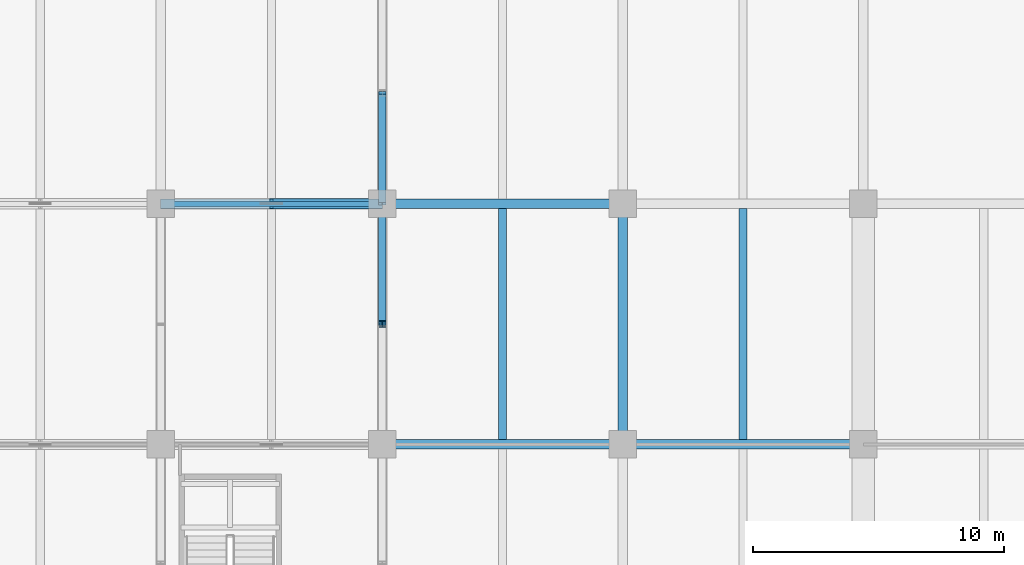
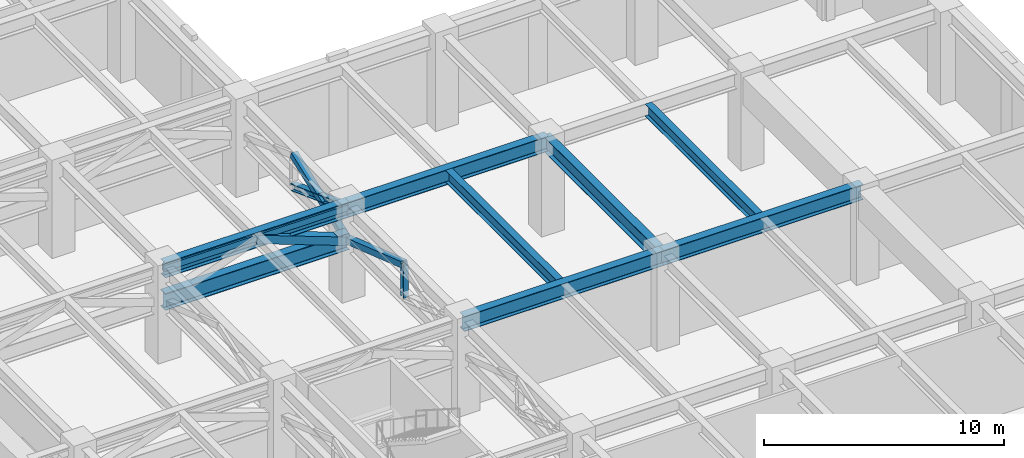
# One storey, part 6 of 22: 8 beams, 6 members.
"""IFC4 building model written with IfcOpenShell, lengths in metres."""

import ifcopenshell
import ifcopenshell.guid

model = None  # the IFC model being written
_history = None  # IfcOwnerHistory: only IFC2X3 demands one
_inside = {}  # id of a spatial element -> (the spatial element, [elements in it])
_under = {}  # id of a project, library or spatial element -> (it, [spatial elements below it])
_declared = {}  # id of a project -> (the project, [libraries it declares])
_typed = {}  # id of a type object -> (the type object, [elements of that type])
_made_of = {}  # id of a material, layer set ... -> (it, [elements and type objects made of it])


def new_model(schema):
    """Start an empty IFC model of exactly this schema.

    Asked for "IFC4X3", IfcOpenShell would pick the latest addendum, in which some entities
    have other attributes; the version numbers below select the first issue.
    IFC2X3 requires an IfcOwnerHistory on every rooted entity: one is made here for all.
    """
    global model, _history
    if schema == "IFC4X3":
        model = ifcopenshell.file(schema_version=(4, 3, 0, 0))
    else:
        model = ifcopenshell.file(schema=schema)
    _inside.clear()
    _under.clear()
    _declared.clear()
    _typed.clear()
    _made_of.clear()
    _history = None
    if model.schema == "IFC2X3":
        org = make("IfcOrganization", Name="unknown")
        user = make(
            "IfcPersonAndOrganization",
            ThePerson=make("IfcPerson", FamilyName="unknown"),
            TheOrganization=org,
        )
        app = make(
            "IfcApplication",
            ApplicationDeveloper=org,
            Version="unknown",
            ApplicationFullName="unknown",
            ApplicationIdentifier="unknown",
        )
        _history = make(
            "IfcOwnerHistory",
            OwningUser=user,
            OwningApplication=app,
            ChangeAction="ADDED",
            CreationDate=0,
        )
    return model


def make(cls, **values):
    """One entity of the class cls with the attributes given. An attribute that is None is left unset."""
    return model.create_entity(
        cls, **{name: value for name, value in values.items() if value is not None}
    )


def rooted(cls, **values):
    """An entity with a GlobalId (a new one), such as an element, a storey or a relation."""
    return make(cls, GlobalId=ifcopenshell.guid.new(), OwnerHistory=_history, **values)


def si_unit(unit_type, name, prefix=None):
    """IfcSIUnit, for example si_unit("LENGTHUNIT", "METRE", prefix="MILLI")."""
    return make("IfcSIUnit", UnitType=unit_type, Prefix=prefix, Name=name)


def assignment(units):
    """IfcUnitAssignment: the units of a project."""
    return None if units is None else make("IfcUnitAssignment", Units=units)


def point(xyz):
    """IfcCartesianPoint."""
    return None if xyz is None else make("IfcCartesianPoint", Coordinates=xyz)


def direction(xyz):
    """IfcDirection."""
    return None if xyz is None else make("IfcDirection", DirectionRatios=xyz)


def frame(location, z_axis=None, x_axis=None):
    """IfcAxis2Placement3D, a coordinate frame: its origin and axes. An axis left out is left unset."""
    return make(
        "IfcAxis2Placement3D",
        Location=point(location),
        Axis=direction(z_axis),
        RefDirection=direction(x_axis),
    )


def frame_2d(location, x_axis=None):
    """IfcAxis2Placement2D, a coordinate frame in the plane: its origin and x axis."""
    return make(
        "IfcAxis2Placement2D", Location=point(location), RefDirection=direction(x_axis)
    )


def origin():
    """The frame at (0, 0, 0) with its axes left unset."""
    return frame((0.0, 0.0, 0.0))


def origin_2d():
    """The frame at (0, 0) in the plane with its x axis left unset."""
    return frame_2d((0.0, 0.0))


def place(relative_to, where):
    """IfcLocalPlacement: puts the frame where relative to a parent placement (None: the world)."""
    return make(
        "IfcLocalPlacement", PlacementRelTo=relative_to, RelativePlacement=where
    )


def context(
    kind, dimensions, precision=None, world=None, true_north=None, identifier=None
):
    """IfcGeometricRepresentationContext, for example the 3D "Model" context."""
    return make(
        "IfcGeometricRepresentationContext",
        ContextIdentifier=identifier,
        ContextType=kind,
        CoordinateSpaceDimension=dimensions,
        Precision=precision,
        WorldCoordinateSystem=world,
        TrueNorth=true_north,
    )


def subcontext(parent, identifier, kind, view, scale=None):
    """IfcGeometricRepresentationSubContext, for example "Body" below "Model"."""
    return make(
        "IfcGeometricRepresentationSubContext",
        ContextIdentifier=identifier,
        ContextType=kind,
        ParentContext=parent,
        TargetScale=scale,
        TargetView=view,
    )


def project(units=None, contexts=None):
    """IfcProject with its units and contexts."""
    return rooted(
        "IfcProject",
        Name="project",
        RepresentationContexts=contexts,
        UnitsInContext=assignment(units),
    )


def spatial(cls, under=None, at=None, **own):
    """A site, building, storey or space (cls), placed at a placement, below another one or the project."""
    s = rooted(cls, ObjectPlacement=at, **own)
    if under is not None:
        _under.setdefault(under.id(), (under, []))[1].append(s)
    return s


def profile(cls, at=None, kind="AREA", **sizes):
    """A parametric profile (cls). Its sizes go by their IFC names, for example OverallWidth=200.0."""
    return make(cls, ProfileType=kind, Position=at, **sizes)


def hollow_rectangle(**sizes):
    """IfcRectangleHollowProfileDef."""
    return profile("IfcRectangleHollowProfileDef", **sizes)


def i_section(**sizes):
    """IfcIShapeProfileDef."""
    return profile("IfcIShapeProfileDef", **sizes)


def extrude(swept, where, along, depth):
    """IfcExtrudedAreaSolid: the profile swept, set in the frame where, extruded along a direction by depth."""
    return make(
        "IfcExtrudedAreaSolid",
        SweptArea=swept,
        Position=where,
        ExtrudedDirection=direction(along),
        Depth=depth,
    )


def shape(context_of_items, identifier, shape_type, items):
    """IfcShapeRepresentation: the items that make up one representation, for example the "Body"."""
    return make(
        "IfcShapeRepresentation",
        ContextOfItems=context_of_items,
        RepresentationIdentifier=identifier,
        RepresentationType=shape_type,
        Items=items,
    )


def material(Name=None, Category=None):
    """IfcMaterial."""
    return make("IfcMaterial", Name=Name, Category=Category)


def material_profile(
    of_material, cross_section, Name=None, Category=None, Priority=None
):
    """IfcMaterialProfile: a cross section and its material."""
    return make(
        "IfcMaterialProfile",
        Name=Name,
        Material=of_material,
        Profile=cross_section,
        Priority=Priority,
        Category=Category,
    )


def profile_set(profiles, Name=None, composite=None):
    """IfcMaterialProfileSet."""
    return make(
        "IfcMaterialProfileSet",
        Name=Name,
        MaterialProfiles=profiles,
        CompositeProfile=composite,
    )


def made_of(thing, what):
    """Note that an element or type object is made of a material, layer set ...; save() writes the relation."""
    if what is not None:
        _made_of.setdefault(what.id(), (what, []))[1].append(thing)
    return thing


def type_object(cls, material=None, **own):
    """A type object (cls), such as IfcWallType, which elements share."""
    return made_of(rooted(cls, **own), material)


def element(
    cls,
    number,
    at=None,
    inside=None,
    cuts=None,
    type_object=None,
    material=None,
    context=None,
    identifier="Body",
    shape_type=None,
    held_by="IfcProductDefinitionShape",
    body=None,
    shapes=None,
    **own,
):
    """One element of the class cls, such as IfcWall. Its Tag is "e" and its number.

    at: its placement. inside: the storey or other place that contains it. cuts: it is an
    opening in that element (IfcRelVoidsElement). A single representation is given by context,
    identifier, shape_type and body (its items); several are given by shapes. held_by: the class
    of the entity that holds the representations. save() writes the other relations.
    """
    e = rooted(cls, Tag="e%d" % number, ObjectPlacement=at, **own)
    if body is not None:
        shapes = [shape(context, identifier, shape_type, body)]
    if shapes is not None:
        e.Representation = make(held_by, Representations=shapes)
    if inside is not None:
        _inside.setdefault(inside.id(), (inside, []))[1].append(e)
    if cuts is not None:
        rooted(
            "IfcRelVoidsElement", RelatingBuildingElement=cuts, RelatedOpeningElement=e
        )
    if type_object is not None:
        _typed.setdefault(type_object.id(), (type_object, []))[1].append(e)
    return made_of(e, material)


def aggregate(whole, parts):
    """IfcRelAggregates: a whole, such as a stair, and the parts it consists of."""
    return rooted("IfcRelAggregates", RelatingObject=whole, RelatedObjects=parts)


def save(model, path):
    """Write the relations noted so far, then the file.

    IfcRelAggregates (storeys below a building ...), IfcRelContainedInSpatialStructure (elements
    in a storey), IfcRelDefinesByType, IfcRelAssociatesMaterial and IfcRelDeclares: one each for
    every whole, place, type object, material and project.
    """
    for whole, parts in _under.values():
        aggregate(whole, parts)
    for where, things in _inside.values():
        rooted(
            "IfcRelContainedInSpatialStructure",
            RelatedElements=things,
            RelatingStructure=where,
        )
    for kind, things in _typed.values():
        rooted("IfcRelDefinesByType", RelatedObjects=things, RelatingType=kind)
    for what, things in _made_of.values():
        rooted("IfcRelAssociatesMaterial", RelatedObjects=things, RelatingMaterial=what)
    for by, libraries in _declared.values():
        rooted("IfcRelDeclares", RelatingContext=by, RelatedDefinitions=libraries)
    model.write(path)


model = new_model("IFC4")

# Units and contexts
model_context = context("Model", 3, precision=1e-05, world=origin(), true_north=direction((0.0, 1.0)))
body_context = subcontext(model_context, "Body", "Model", "MODEL_VIEW")
ifc_project = project(units=[si_unit("LENGTHUNIT", "METRE"), si_unit("AREAUNIT", "SQUARE_METRE"), si_unit("VOLUMEUNIT", "CUBIC_METRE"), si_unit("PLANEANGLEUNIT", "RADIAN"), si_unit("MASSUNIT", "GRAM", prefix="KILO")], contexts=[model_context])

# Site, building, storey
site_placement = place(None, origin())
site = spatial("IfcSite", under=ifc_project, at=site_placement, CompositionType="ELEMENT")
building_placement = place(site_placement, origin())
building = spatial("IfcBuilding", under=site, at=building_placement, Name="Norrvale University Quadrangle", CompositionType="ELEMENT")
storey_placement = place(building_placement, frame((0.0, 0.0, 96.39990234375)))
storey = spatial("IfcBuildingStorey", under=building, at=storey_placement, Name="L24", CompositionType="ELEMENT", Elevation=96.39990234375)

# Beams
ifc_material = material(Name="Steel 350W", Category="steel")
ifc_material_profile_1 = material_profile(ifc_material, i_section(OverallWidth=0.324951171875, OverallDepth=0.615966796875, WebThickness=0.013916015625, FlangeThickness=0.021484375, FilletRadius=0.01611328125, at=origin_2d()), Name="Steel 350W")
ifc_profile_set_1 = profile_set([ifc_material_profile_1], Name="Steel 350W")
beam_type_1 = type_object("IfcBeamType", Name="Beam Belt W610x174", PredefinedType="BEAM", material=ifc_profile_set_1)
for number, where, z_axis, x_axis, name in (
    (1, (42.449951171875, 19.390380859375, 4.43212890625), (0.0, 1.0, 0.0), (-1.0, 0.0, 0.0), "Beam Belt W610x174 BM-L24-J092"),
    (2, (52.050048828125, 19.390380859375, 4.43212890625), (0.0, 1.0, 0.0), (-1.0, 0.0, 0.0), "Beam Belt W610x174 BM-L24-J096"),
):
    element("IfcBeam", number, at=place(storey_placement, frame(where, z_axis=z_axis, x_axis=x_axis)), inside=storey, type_object=beam_type_1, Name=name, PredefinedType="BEAM", context=body_context, shape_type="SweptSolid", body=[
        extrude(i_section(OverallWidth=0.324951171875, OverallDepth=0.615966796875, WebThickness=0.013916015625, FlangeThickness=0.021484375, FilletRadius=0.01611328125, at=origin_2d()), origin(), (0.0, 0.0, 1.0), 9.21923828125),
    ])
ifc_material_profile_2 = material_profile(ifc_material, i_section(OverallWidth=0.381103515625, OverallDepth=0.77294921875, WebThickness=0.0166015625, FlangeThickness=0.027587890625, FilletRadius=0.02001953125, at=origin_2d()), Name="Steel 350W")
ifc_profile_set_2 = profile_set([ifc_material_profile_2], Name="Steel 350W")
beam_type_2 = type_object("IfcBeamType", Name="Beam Outrig W760x257", PredefinedType="BEAM", material=ifc_profile_set_2)
for number, where, z_axis, x_axis, name in (
    (3, (37.64990234375, 19.199951171875, 4.353515625), (1.0, 0.0, 0.0), (0.0, 1.0, 0.0), "Beam Outrig W760x257 BM-L24-GX013"),
    (4, (47.25, 19.199951171875, 4.353515625), (1.0, 0.0, 0.0), (0.0, 1.0, 0.0), "Beam Outrig W760x257 BM-L24-GX014"),
):
    element("IfcBeam", number, at=place(storey_placement, frame(where, z_axis=z_axis, x_axis=x_axis)), inside=storey, type_object=beam_type_2, Name=name, PredefinedType="BEAM", context=body_context, shape_type="SweptSolid", body=[
        extrude(i_section(OverallWidth=0.381103515625, OverallDepth=0.77294921875, WebThickness=0.0166015625, FlangeThickness=0.027587890625, FilletRadius=0.02001953125, at=origin_2d()), origin(), (0.0, 0.0, 1.0), 9.60009765625),
    ])
beam_1_placement = place(storey_placement, frame((28.800048828125, 28.800048828125, 4.353515625), z_axis=(1.0, 0.0, 0.0), x_axis=(0.0, 1.0, 0.0)))
element("IfcBeam", 5, at=beam_1_placement, inside=storey, type_object=beam_type_2, Name="Beam Outrig W760x257 BM-L24-GX017", PredefinedType="BEAM", context=body_context, shape_type="SweptSolid", body=[
    extrude(i_section(OverallWidth=0.381103515625, OverallDepth=0.77294921875, WebThickness=0.0166015625, FlangeThickness=0.027587890625, FilletRadius=0.02001953125, at=origin_2d()), origin(), (0.0, 0.0, 1.0), 8.849853515625),
])
for number, where, z_axis, x_axis, name in (
    (6, (37.64990234375, 28.800048828125, 4.353515625), (1.0, 0.0, 0.0), (0.0, 1.0, 0.0), "Beam Outrig W760x257 BM-L24-GX018"),
    (7, (47.25, 19.199951171875, 4.353515625), (0.0, 1.0, 0.0), (-1.0, 0.0, 0.0), "Beam Outrig W760x257 BM-L24-GY061"),
):
    element("IfcBeam", number, at=place(storey_placement, frame(where, z_axis=z_axis, x_axis=x_axis)), inside=storey, type_object=beam_type_2, Name=name, PredefinedType="BEAM", context=body_context, shape_type="SweptSolid", body=[
        extrude(i_section(OverallWidth=0.381103515625, OverallDepth=0.77294921875, WebThickness=0.0166015625, FlangeThickness=0.027587890625, FilletRadius=0.02001953125, at=origin_2d()), origin(), (0.0, 0.0, 1.0), 9.60009765625),
    ])
ifc_material_profile_3 = material_profile(ifc_material, i_section(OverallWidth=0.39990234375, OverallDepth=0.85498046875, WebThickness=0.018310546875, FlangeThickness=0.029296875, FilletRadius=0.02197265625, at=origin_2d()), Name="Steel 350W")
ifc_profile_set_3 = profile_set([ifc_material_profile_3], Name="Steel 350W")
beam_type_3 = type_object("IfcBeamType", Name="Beam Outrig W840x299", PredefinedType="BEAM", material=ifc_profile_set_3)
beam_2_placement = place(storey_placement, frame((28.800048828125, 28.800048828125, 2.75), z_axis=(1.0, 0.0, 0.0), x_axis=(0.0, 1.0, 0.0)))
element("IfcBeam", 8, at=beam_2_placement, inside=storey, type_object=beam_type_3, Name="Outrigger Bottom Chord L24-3.3", PredefinedType="BEAM", context=body_context, shape_type="SweptSolid", body=[
    extrude(i_section(OverallWidth=0.39990234375, OverallDepth=0.85498046875, WebThickness=0.018310546875, FlangeThickness=0.029296875, FilletRadius=0.02197265625, at=origin_2d()), origin(), (0.0, 0.0, 1.0), 8.849853515625),
])

# Members
ifc_material_profile_4 = material_profile(ifc_material, hollow_rectangle(XDim=0.304931640625, YDim=0.304931640625, WallThickness=0.012939453125, at=origin_2d()), Name="Steel 350W")
ifc_profile_set_4 = profile_set([ifc_material_profile_4], Name="Steel 350W")
member_type_1 = type_object("IfcMemberType", Name="Member Belt Diag HSS305", PredefinedType="BRACE", material=ifc_profile_set_4)
member_1_placement = place(storey_placement, frame((37.64990234375, 28.800048828125, 2.75), z_axis=(0.0, -0.946283782562, 0.323337289622), x_axis=(1.0, 0.0, 0.0)))
element("IfcMember", 9, at=member_1_placement, inside=storey, type_object=member_type_1, Name="Belt Truss Brace L24-02B", PredefinedType="BRACE", context=body_context, shape_type="SweptSolid", body=[
    extrude(hollow_rectangle(XDim=0.304931640625, YDim=0.304931640625, WallThickness=0.012939453125, at=origin_2d()), origin(), (0.0, 0.0, 1.0), 5.072509765625),
])
member_2_placement = place(storey_placement, frame((37.64990234375, 28.800048828125, 2.75), z_axis=(0.0, 0.937663862855, 0.347543494106), x_axis=(-1.0, 0.0, 0.0)))
element("IfcMember", 10, at=member_2_placement, inside=storey, type_object=member_type_1, Name="Belt Truss Brace L24-03A", PredefinedType="BRACE", context=body_context, shape_type="SweptSolid", body=[
    extrude(hollow_rectangle(XDim=0.304931640625, YDim=0.304931640625, WallThickness=0.012939453125, at=origin_2d()), origin(), (0.0, 0.0, 1.0), 4.71923828125),
])
ifc_material_profile_5 = material_profile(ifc_material, hollow_rectangle(XDim=0.202880859375, YDim=0.304931640625, WallThickness=0.012939453125, at=origin_2d()), Name="Steel 350W")
ifc_profile_set_5 = profile_set([ifc_material_profile_5], Name="Steel 350W")
member_type_2 = type_object("IfcMemberType", Name="Member Chord HSS305x203", PredefinedType="CHORD", material=ifc_profile_set_5)
member_3_placement = place(storey_placement, frame((28.800048828125, 28.800048828125, 4.39013671875), z_axis=(1.0, 0.0, 0.0), x_axis=(0.0, 1.0, 0.0)))
element("IfcMember", 11, at=member_3_placement, inside=storey, type_object=member_type_2, Name="Outrigger Top Chord L24-3.3", PredefinedType="CHORD", context=body_context, shape_type="SweptSolid", body=[
    extrude(hollow_rectangle(XDim=0.202880859375, YDim=0.304931640625, WallThickness=0.012939453125, at=origin_2d()), origin(), (0.0, 0.0, 1.0), 8.849853515625),
])
ifc_material_profile_6 = material_profile(ifc_material, hollow_rectangle(XDim=0.406005859375, YDim=0.406005859375, WallThickness=0.01611328125, at=origin_2d()), Name="Steel 350W")
ifc_profile_set_6 = profile_set([ifc_material_profile_6], Name="Steel 350W")
member_type_3 = type_object("IfcMemberType", Name="Member Outrig Diag HSS406", PredefinedType="BRACE", material=ifc_profile_set_6)
member_4_placement = place(storey_placement, frame((37.64990234375, 28.800048828125, 2.75), z_axis=(-0.937657613732, 0.0, 0.347560353622), x_axis=(0.0, -1.0, 0.0)))
element("IfcMember", 12, at=member_4_placement, inside=storey, type_object=member_type_3, Name="Outrigger Truss Diagonal L24-3.3B", PredefinedType="BRACE", context=body_context, shape_type="SweptSolid", body=[
    extrude(hollow_rectangle(XDim=0.406005859375, YDim=0.406005859375, WallThickness=0.01611328125, at=origin_2d()), origin(), (0.0, 0.0, 1.0), 4.718994140625),
])
ifc_material_profile_7 = material_profile(ifc_material, i_section(OverallWidth=0.25390625, OverallDepth=0.2529296875, WebThickness=0.008544921875, FlangeThickness=0.01416015625, FilletRadius=0.011962890625, at=origin_2d()), Name="Steel 350W")
ifc_profile_set_7 = profile_set([ifc_material_profile_7], Name="Steel 350W")
member_type_4 = type_object("IfcMemberType", Name="Member Post W250x73", PredefinedType="POST", material=ifc_profile_set_7)
member_5_placement = place(storey_placement, frame((37.64990234375, 24.0, 2.75), z_axis=(0.0, 0.0, 1.0), x_axis=(1.0, 0.0, 0.0)))
element("IfcMember", 13, at=member_5_placement, inside=storey, type_object=member_type_4, Name="Belt Truss Post L24-02", PredefinedType="POST", context=body_context, shape_type="SweptSolid", body=[
    extrude(i_section(OverallWidth=0.25390625, OverallDepth=0.2529296875, WebThickness=0.008544921875, FlangeThickness=0.01416015625, FilletRadius=0.011962890625, at=origin_2d()), origin(), (0.0, 0.0, 1.0), 1.64013671875),
])
ifc_material_profile_8 = material_profile(ifc_material, i_section(OverallWidth=0.30908203125, OverallDepth=0.322998046875, WebThickness=0.01318359375, FlangeThickness=0.02294921875, FilletRadius=0.014892578125, at=origin_2d()), Name="Steel 350W")
ifc_profile_set_8 = profile_set([ifc_material_profile_8], Name="Steel 350W")
member_type_5 = type_object("IfcMemberType", Name="Member Tie W310x143", PredefinedType="BRACE", material=ifc_profile_set_8)
member_6_placement = place(storey_placement, frame((37.64990234375, 28.800048828125, 4.39013671875), z_axis=(0.0, 0.937663862855, -0.347543494106), x_axis=(-1.0, 0.0, 0.0)))
element("IfcMember", 14, at=member_6_placement, inside=storey, type_object=member_type_5, Name="Belt Truss Tie Brace L24-03", PredefinedType="BRACE", context=body_context, shape_type="SweptSolid", body=[
    extrude(i_section(OverallWidth=0.30908203125, OverallDepth=0.322998046875, WebThickness=0.01318359375, FlangeThickness=0.02294921875, FilletRadius=0.014892578125, at=origin_2d()), origin(), (0.0, 0.0, 1.0), 4.71923828125),
])

save(model, "model.ifc")
